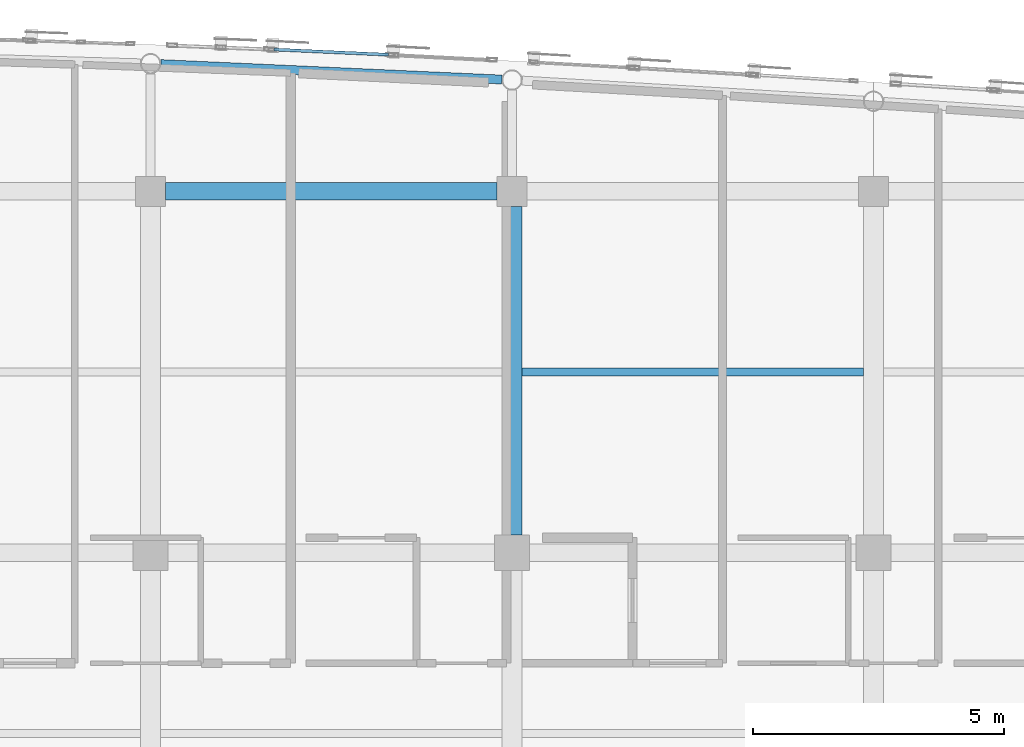
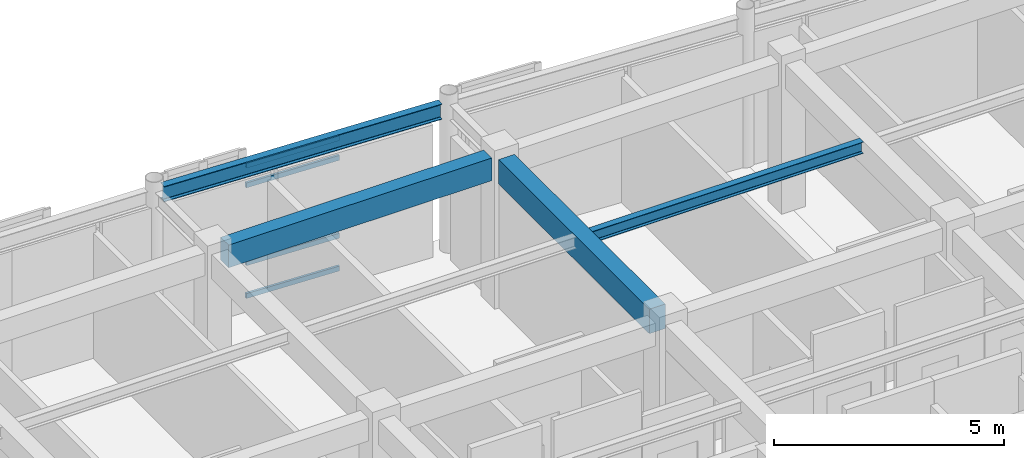
# One storey, part 51 of 113: 4 beams, 4 members, 1 element without a shape of its own.
"""IFC4 building model written with IfcOpenShell, lengths in metres."""

from ifc_helpers import new_model, si_unit, direction, frame, origin, origin_2d, place, context, subcontext, project, spatial, rectangle, hollow_rectangle, i_section, extrude, material, layer, layer_set, material_profile, profile_set, type_object, element, aggregate, save


model = new_model("IFC4")

# Units and contexts
model_context = context("Model", 3, precision=1e-05, world=origin(), true_north=direction((0.0, 1.0)))
body_context = subcontext(model_context, "Body", "Model", "MODEL_VIEW")
ifc_project = project(units=[si_unit("LENGTHUNIT", "METRE"), si_unit("AREAUNIT", "SQUARE_METRE"), si_unit("VOLUMEUNIT", "CUBIC_METRE"), si_unit("PLANEANGLEUNIT", "RADIAN"), si_unit("MASSUNIT", "GRAM", prefix="KILO")], contexts=[model_context])

# Site, building, storey
site_placement = place(None, origin())
site = spatial("IfcSite", under=ifc_project, at=site_placement, CompositionType="ELEMENT")
building_placement = place(site_placement, origin())
building = spatial("IfcBuilding", under=site, at=building_placement, Name="Carrowvane Square Congress Hotel", CompositionType="ELEMENT")
storey_placement = place(building_placement, frame((0.0, 0.0, 15.0)))
storey = spatial("IfcBuildingStorey", under=building, at=storey_placement, Name="L03", CompositionType="ELEMENT", Elevation=15.0)

# Beams
ifc_material_1 = material(Name="Concrete C35/45", Category="concrete")
ifc_material_profile_1 = material_profile(ifc_material_1, rectangle(XDim=0.35009765625, YDim=0.60009765625, at=origin_2d()), Name="RC 350x600")
ifc_profile_set_1 = profile_set([ifc_material_profile_1], Name="Concrete C35/45")
beam_type_1 = type_object("IfcBeamType", Name="BM-RC-350x600", PredefinedType="BEAM", material=ifc_profile_set_1)
beam_1_placement = place(storey_placement, frame((112.699951171875, 113.39990234375, 3.639892578125), z_axis=(1.0, 0.0, 0.0), x_axis=(0.0, 1.0, 0.0)))
element("IfcBeam", 1, at=beam_1_placement, inside=storey, type_object=beam_type_1, Name="L04 girder R/15-16", PredefinedType="BEAM", context=body_context, shape_type="SweptSolid", body=[
    extrude(rectangle(XDim=0.35009765625, YDim=0.60009765625, at=origin_2d()), origin(), (0.0, 0.0, 1.0), 6.60009765625),
])
ifc_material_2 = material(Name="Concrete C35/45", Category="concrete")
ifc_material_profile_2 = material_profile(ifc_material_2, rectangle(XDim=0.39990234375, YDim=0.64990234375, at=origin_2d()), Name="RC 400x650")
ifc_profile_set_2 = profile_set([ifc_material_profile_2], Name="Concrete C35/45")
beam_type_2 = type_object("IfcBeamType", Name="BM-RC-400x650", PredefinedType="BEAM", material=ifc_profile_set_2)
beam_2_placement = place(storey_placement, frame((119.60009765625, 106.550048828125, 3.614990234375), z_axis=(0.0, 1.0, 0.0), x_axis=(-1.0, 0.0, 0.0)))
element("IfcBeam", 2, at=beam_2_placement, inside=storey, type_object=beam_type_2, Name="L04 girder 16/Q-R", PredefinedType="BEAM", context=body_context, shape_type="SweptSolid", body=[
    extrude(rectangle(XDim=0.39990234375, YDim=0.64990234375, at=origin_2d()), origin(), (0.0, 0.0, 1.0), 6.550048828125),
])
ifc_material_3 = material(Name="Steel S355", Category="steel")
ifc_material_profile_3 = material_profile(ifc_material_3, i_section(OverallWidth=0.165771484375, OverallDepth=0.306640625, WebThickness=0.006591796875, FlangeThickness=0.01171875, FilletRadius=0.0087890625, at=origin_2d()), Name="UKB 305x165x46")
ifc_profile_set_3 = profile_set([ifc_material_profile_3], Name="Steel S355")
beam_type_3 = type_object("IfcBeamType", Name="BM-ST-UKB305", PredefinedType="JOIST", material=ifc_profile_set_3)
beam_3_placement = place(storey_placement, frame((119.800048828125, 109.800048828125, 3.78662109375), z_axis=(1.0, 0.0, 0.0), x_axis=(0.0, 1.0, 0.0)))
element("IfcBeam", 3, at=beam_3_placement, inside=storey, type_object=beam_type_3, Name="L04 secondary joist 16-17", PredefinedType="JOIST", context=body_context, shape_type="SweptSolid", body=[
    extrude(i_section(OverallWidth=0.165771484375, OverallDepth=0.306640625, WebThickness=0.006591796875, FlangeThickness=0.01171875, FilletRadius=0.0087890625, at=origin_2d()), origin(), (0.0, 0.0, 1.0), 6.800048828125),
])
ifc_material_4 = material(Name="Steel S355", Category="steel")
ifc_material_profile_4 = material_profile(ifc_material_4, i_section(OverallWidth=0.1787109375, OverallDepth=0.409423828125, WebThickness=0.0087890625, FlangeThickness=0.014404296875, FilletRadius=0.01025390625, at=origin_2d()), Name="UKB 406x178x67")
ifc_profile_set_4 = profile_set([ifc_material_profile_4], Name="Steel S355")
beam_type_4 = type_object("IfcBeamType", Name="BM-ST-UKB406", PredefinedType="BEAM", material=ifc_profile_set_4)
beam_4_placement = place(storey_placement, frame((112.60302734375, 115.934814453125, 3.7353515625), z_axis=(0.998973271848, -0.045303445058, 0.0), x_axis=(0.045303445058, 0.998973271848, 0.0)))
element("IfcBeam", 4, at=beam_4_placement, inside=storey, type_object=beam_type_4, Name="L04 curved north spandrel", PredefinedType="BEAM", context=body_context, shape_type="SweptSolid", body=[
    extrude(i_section(OverallWidth=0.1787109375, OverallDepth=0.409423828125, WebThickness=0.0087890625, FlangeThickness=0.014404296875, FilletRadius=0.01025390625, at=origin_2d()), origin(), (0.0, 0.0, 1.0), 6.801025390625),
])

# Curtain wall, members
ifc_material_5 = material(Name="Anodised aluminium", Category="aluminium")
ifc_layer = layer(ifc_material_5, 0.162109375)
ifc_layer_set = layer_set([ifc_layer], Name="Anodised aluminium")
curtain_wall_type = type_object("IfcCurtainWallType", Name="CW-SYS-1", PredefinedType="NOTDEFINED", material=ifc_layer_set)
curtain_wall_placement = place(storey_placement, origin())
curtain_wall = element("IfcCurtainWall", 5, at=curtain_wall_placement, inside=storey, type_object=curtain_wall_type, Name="L03 unitised curtain wall 224", PredefinedType="NOTDEFINED")
ifc_material_6 = material(Name="Anodised aluminium", Category="aluminium")
ifc_material_profile_5 = material_profile(ifc_material_6, hollow_rectangle(XDim=0.06005859375, YDim=0.1298828125, WallThickness=0.00390625, at=origin_2d()), Name="CW-TR 60x130x4")
ifc_profile_set_5 = profile_set([ifc_material_profile_5], Name="Anodised aluminium")
member_type = type_object("IfcMemberType", Name="CW-TRN-1", PredefinedType="USERDEFINED", material=ifc_profile_set_5)
member_1_placement = place(storey_placement, frame((114.85986328125, 116.224853515625, 0.030029296875), z_axis=(0.998971184853, -0.045349441368, 0.0), x_axis=(0.045349441368, 0.998971184853, 0.0)))
member_1 = element("IfcMember", 6, at=member_1_placement, type_object=member_type, Name="CW-1 transom 1.1", ObjectType="TRANSOM", PredefinedType="USERDEFINED", context=body_context, shape_type="SweptSolid", body=[
    extrude(hollow_rectangle(XDim=0.06005859375, YDim=0.1298828125, WallThickness=0.00390625, at=origin_2d()), origin(), (0.0, 0.0, 1.0), 2.28271484375),
])
member_2_placement = place(storey_placement, frame((114.85986328125, 116.224853515625, 0.89990234375), z_axis=(0.998971184853, -0.045349441368, 0.0), x_axis=(0.045349441368, 0.998971184853, 0.0)))
member_2 = element("IfcMember", 7, at=member_2_placement, type_object=member_type, Name="CW-1 transom 1.2", ObjectType="TRANSOM", PredefinedType="USERDEFINED", context=body_context, shape_type="SweptSolid", body=[
    extrude(hollow_rectangle(XDim=0.06005859375, YDim=0.1298828125, WallThickness=0.00390625, at=origin_2d()), origin(), (0.0, 0.0, 1.0), 2.28271484375),
])
member_3_placement = place(storey_placement, frame((114.85986328125, 116.224853515625, 2.965576171875), z_axis=(0.998971184853, -0.045349441368, 0.0), x_axis=(0.045349441368, 0.998971184853, 0.0)))
member_3 = element("IfcMember", 8, at=member_3_placement, type_object=member_type, Name="CW-1 transom 1.3", ObjectType="TRANSOM", PredefinedType="USERDEFINED", context=body_context, shape_type="SweptSolid", body=[
    extrude(hollow_rectangle(XDim=0.06005859375, YDim=0.1298828125, WallThickness=0.00390625, at=origin_2d()), origin(), (0.0, 0.0, 1.0), 2.28271484375),
])
member_4_placement = place(storey_placement, frame((114.85986328125, 116.224853515625, 3.485595703125), z_axis=(0.998971184853, -0.045349441368, 0.0), x_axis=(0.045349441368, 0.998971184853, 0.0)))
member_4 = element("IfcMember", 9, at=member_4_placement, type_object=member_type, Name="CW-1 transom 1.4", ObjectType="TRANSOM", PredefinedType="USERDEFINED", context=body_context, shape_type="SweptSolid", body=[
    extrude(hollow_rectangle(XDim=0.06005859375, YDim=0.1298828125, WallThickness=0.00390625, at=origin_2d()), origin(), (0.0, 0.0, 1.0), 2.28271484375),
])
aggregate(curtain_wall, [member_1, member_2, member_3, member_4])

save(model, "model.ifc")
